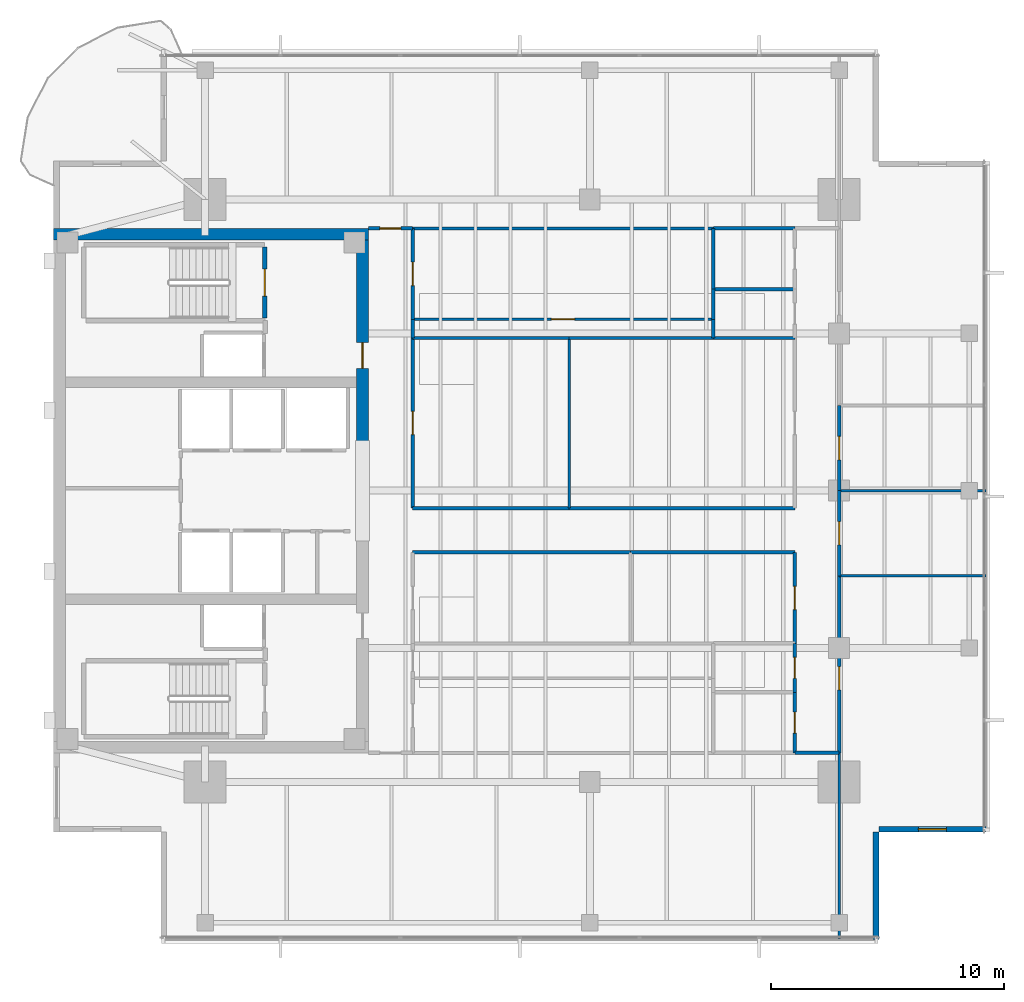
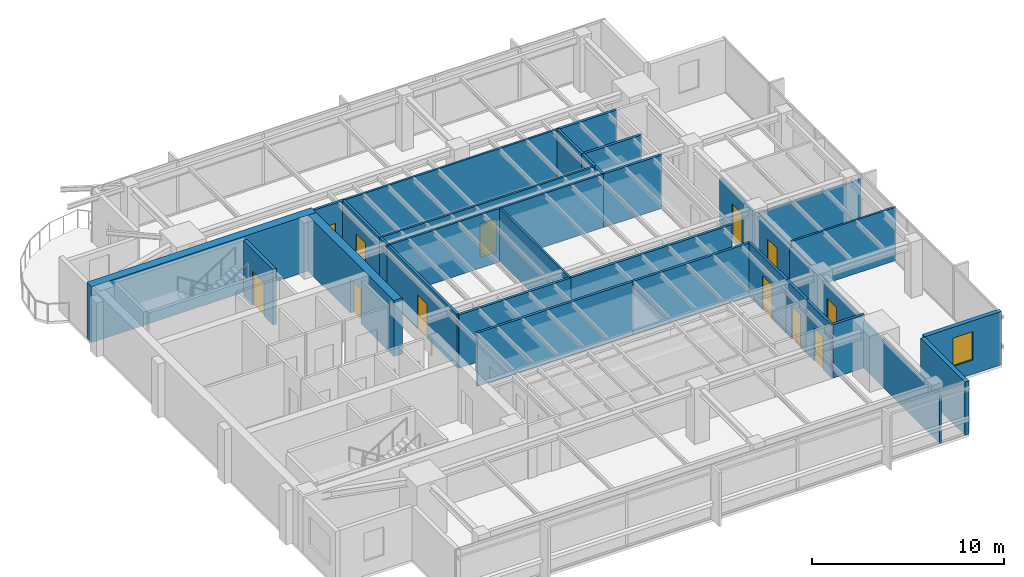
# One storey, part 9 of 14: 34 walls, 12 doors, 1 window, 13 openings.
"""IFC4 building model written with IfcOpenShell, lengths in metres."""

from ifc_helpers import new_model, si_unit, direction, frame, frame_2d, origin, place, context, subcontext, project, spatial, rectangle, extrude, material, layer, layer_set, type_object, element, fill, save


model = new_model("IFC4")

# Units and contexts
model_context = context("Model", 3, precision=1e-05, world=origin(), true_north=direction((0.0, 1.0)))
body_context = subcontext(model_context, "Body", "Model", "MODEL_VIEW")
ifc_project = project(units=[si_unit("LENGTHUNIT", "METRE"), si_unit("AREAUNIT", "SQUARE_METRE"), si_unit("VOLUMEUNIT", "CUBIC_METRE"), si_unit("PLANEANGLEUNIT", "RADIAN"), si_unit("MASSUNIT", "GRAM", prefix="KILO")], contexts=[model_context])

# Site, building, storey
site_placement = place(None, origin())
site = spatial("IfcSite", under=ifc_project, at=site_placement, CompositionType="ELEMENT")
building_placement = place(site_placement, origin())
building = spatial("IfcBuilding", under=site, at=building_placement, Name="Kinhvarn Gate Tower", CompositionType="ELEMENT")
storey_placement = place(building_placement, frame((0.0, 0.0, 249.25)))
storey = spatial("IfcBuildingStorey", under=building, at=storey_placement, Name="L66", CompositionType="ELEMENT", Elevation=249.25)

# Wall
ifc_material_1 = material(Name="Concrete C50/60", Category="concrete")
ifc_layer_1 = layer(ifc_material_1, 0.5)
ifc_layer_set_1 = layer_set([ifc_layer_1], Name="Concrete C50/60")
wall_type_1 = type_object("IfcWallType", Name="WL-CORE-500", PredefinedType="SHEAR", material=ifc_layer_set_1)
wall_1_placement = place(storey_placement, frame((4.5, 36.25, 0.0), z_axis=(0.0, 0.0, 1.0), x_axis=(1.0, 0.0, 0.0)))
element("IfcWall", 1, at=wall_1_placement, inside=storey, type_object=wall_type_1, Name="Core North Shear Wall L66 500 mm", PredefinedType="SHEAR", context=body_context, shape_type="SweptSolid", body=[
    extrude(rectangle(XDim=13.5, YDim=0.5, at=frame_2d((6.75, 0.0))), origin(), (0.0, 0.0, 1.0), 3.550048828125),
])

# Wall, opening, door
wall_2_placement = place(storey_placement, frame((17.75, 27.050048828125, 0.0), z_axis=(0.0, 0.0, 1.0), x_axis=(0.0, 1.0, 0.0)))
wall_2 = element("IfcWall", 2, at=wall_2_placement, inside=storey, type_object=wall_type_1, Name="Core East-North Shear Pier L66 500 mm", PredefinedType="SHEAR", context=body_context, shape_type="SweptSolid", body=[
    extrude(rectangle(XDim=8.949951171875, YDim=0.5, at=frame_2d((4.47509765625, 0.0))), origin(), (0.0, 0.0, 1.0), 3.550048828125),
])
opening_1_placement = place(wall_2_placement, frame((3.449951171875, 0.0, 0.0)))
opening_1 = element("IfcOpeningElement", 3, at=opening_1_placement, cuts=wall_2, Name="Opening FD-02", PredefinedType="OPENING", context=body_context, shape_type="SweptSolid", body=[
    extrude(rectangle(XDim=1.10009765625, YDim=2.14990234375, at=frame_2d((0.550048828125, 1.074951171875))), frame((0.0, 0.260009765625, 0.0), z_axis=(0.0, -1.0, 0.0), x_axis=(1.0, 0.0, 0.0)), (0.0, 0.0, 1.0), 0.52001953125),
])
ifc_material_2 = material(Name="Anodised aluminium AW-6063", Category="aluminium")
door_type_1 = type_object("IfcDoorType", Name="DR-FD-1100", OperationType="NOTDEFINED", PredefinedType="DOOR", material=ifc_material_2)
door_1_placement = place(opening_1_placement, origin())
door_1 = element("IfcDoor", 4, at=door_1_placement, inside=storey, type_object=door_type_1, Name="Firefighting Lobby Core Door (L66)", OperationType="SINGLE_SWING_LEFT", OverallHeight=2.14990234375, OverallWidth=1.10009765625, PredefinedType="DOOR", context=body_context, shape_type="SweptSolid", body=[
    extrude(rectangle(XDim=1.10009765625, YDim=2.14990234375, at=frame_2d((0.550048828125, 1.074951171875))), frame((0.0, 0.02490234375, 0.0), z_axis=(0.0, -1.0, 0.0), x_axis=(1.0, 0.0, 0.0)), (0.0, 0.0, 1.0), 0.050048828125),
])
fill(opening_1, door_1)

# Wall
ifc_material_3 = material(Name="Fired architectural terracotta", Category="masonry")
ifc_layer_2 = layer(ifc_material_3, 0.25)
ifc_layer_set_2 = layer_set([ifc_layer_2], Name="Fired architectural terracotta")
wall_type_2 = type_object("IfcWallType", Name="WL-EXT-250", PredefinedType="SOLIDWALL", material=ifc_layer_set_2)
wall_3_placement = place(storey_placement, frame((39.77490234375, 6.0, 0.0), z_axis=(0.0, 0.0, 1.0), x_axis=(0.0, 1.0, 0.0)))
element("IfcWall", 5, at=wall_3_placement, inside=storey, type_object=wall_type_2, Name="Exterior Solidwall Wall EW-250 (L66 SE-Notch-1)", PredefinedType="SOLIDWALL", context=body_context, shape_type="SweptSolid", body=[
    extrude(rectangle(XDim=4.60009765625, YDim=0.25, at=frame_2d((2.300048828125, 0.0))), origin(), (0.0, 0.0, 1.0), 3.389892578125),
])

# Wall, opening, window
wall_4_placement = place(storey_placement, frame((39.89990234375, 10.72509765625, 0.0), z_axis=(0.0, 0.0, 1.0), x_axis=(1.0, 0.0, 0.0)))
wall_4 = element("IfcWall", 6, at=wall_4_placement, inside=storey, type_object=wall_type_2, Name="Exterior Solidwall Wall EW-250 (L66 SE-Notch-2)", PredefinedType="SOLIDWALL", context=body_context, shape_type="SweptSolid", body=[
    extrude(rectangle(XDim=4.60009765625, YDim=0.25, at=frame_2d((2.300048828125, 0.0))), origin(), (0.0, 0.0, 1.0), 3.389892578125),
])
opening_2_placement = place(wall_4_placement, frame((1.699951171875, 0.0, 0.89990234375)))
opening_2 = element("IfcOpeningElement", 7, at=opening_2_placement, cuts=wall_4, Name="Opening WN-02", PredefinedType="OPENING", context=body_context, shape_type="SweptSolid", body=[
    extrude(rectangle(XDim=1.199951171875, YDim=1.800048828125, at=frame_2d((0.60009765625, 0.89990234375))), frame((0.0, 0.135009765625, 0.0), z_axis=(0.0, -1.0, 0.0), x_axis=(1.0, 0.0, 0.0)), (0.0, 0.0, 1.0), 0.27001953125),
])
ifc_material_4 = material(Name="Clear low-e double glazing", Category="glass")
window_type = type_object("IfcWindowType", Name="WIN-NTC-1200", PartitioningType="SINGLE_PANEL", PredefinedType="WINDOW", material=ifc_material_4)
window_placement = place(opening_2_placement, origin())
window = element("IfcWindow", 8, at=window_placement, inside=storey, type_object=window_type, Name="Recessed Corner Notch Punched Window 1200x1800 mm (L66)", OverallHeight=1.800048828125, OverallWidth=1.199951171875, PartitioningType="SINGLE_PANEL", PredefinedType="WINDOW", context=body_context, shape_type="SweptSolid", body=[
    extrude(rectangle(XDim=1.199951171875, YDim=1.800048828125, at=frame_2d((0.60009765625, 0.89990234375))), frame((0.0, 0.030029296875, 0.0), z_axis=(0.0, -1.0, 0.0), x_axis=(1.0, 0.0, 0.0)), (0.0, 0.0, 1.0), 0.06005859375),
])
fill(opening_2, window)

# Walls
ifc_material_5 = material(Name="Gypsum acoustic partition board")
ifc_layer_3 = layer(ifc_material_5, 0.14990234375)
ifc_layer_set_3 = layer_set([ifc_layer_3], Name="Gypsum acoustic partition board")
wall_type_3 = type_object("IfcWallType", Name="WL-PLM-150", PredefinedType="PLUMBINGWALL", material=ifc_layer_set_3)
wall_5_placement = place(storey_placement, frame((32.800048828125, 33.89990234375, 0.0), z_axis=(0.0, 0.0, 1.0), x_axis=(1.0, 0.0, 0.0)))
element("IfcWall", 9, at=wall_5_placement, inside=storey, type_object=wall_type_3, Name="Interior Partition PLW-150 (L66)", PredefinedType="PLUMBINGWALL", context=body_context, shape_type="SweptSolid", body=[
    extrude(rectangle(XDim=3.5, YDim=0.14990234375, at=frame_2d((1.75, 0.0))), origin(), (0.0, 0.0, 1.0), 3.389892578125),
])
wall_6_placement = place(storey_placement, frame((32.800048828125, 33.89990234375, 0.0), z_axis=(0.0, 0.0, 1.0), x_axis=(0.0, 1.0, 0.0)))
element("IfcWall", 10, at=wall_6_placement, inside=storey, type_object=wall_type_3, Name="Interior Partition PLW-150 (L66)", PredefinedType="PLUMBINGWALL", context=body_context, shape_type="SweptSolid", body=[
    extrude(rectangle(XDim=2.60009765625, YDim=0.14990234375, at=frame_2d((1.300048828125, 0.0))), origin(), (0.0, 0.0, 1.0), 3.389892578125),
])
wall_7_placement = place(storey_placement, frame((32.800048828125, 36.5, 0.0), z_axis=(0.0, 0.0, 1.0), x_axis=(1.0, 0.0, 0.0)))
element("IfcWall", 11, at=wall_7_placement, inside=storey, type_object=wall_type_3, Name="Interior Partition PLW-150 (L66)", PredefinedType="PLUMBINGWALL", context=body_context, shape_type="SweptSolid", body=[
    extrude(rectangle(XDim=3.5, YDim=0.14990234375, at=frame_2d((1.75, 0.0))), origin(), (0.0, 0.0, 1.0), 3.389892578125),
])
wall_8_placement = place(storey_placement, frame((32.800048828125, 32.60009765625, 0.0), z_axis=(0.0, 0.0, 1.0), x_axis=(0.0, 1.0, 0.0)))
element("IfcWall", 12, at=wall_8_placement, inside=storey, type_object=wall_type_3, Name="Interior Partition PLW-150 (L66)", PredefinedType="PLUMBINGWALL", context=body_context, shape_type="SweptSolid", body=[
    extrude(rectangle(XDim=1.2998046875, YDim=0.14990234375, at=frame_2d((0.64990234375, 0.0))), origin(), (0.0, 0.0, 1.0), 3.389892578125),
])
wall_9_placement = place(storey_placement, frame((32.800048828125, 31.800048828125, 0.0), z_axis=(0.0, 0.0, 1.0), x_axis=(0.0, 1.0, 0.0)))
element("IfcWall", 13, at=wall_9_placement, inside=storey, type_object=wall_type_3, Name="Interior Partition PLW-150 (L66)", PredefinedType="PLUMBINGWALL", context=body_context, shape_type="SweptSolid", body=[
    extrude(rectangle(XDim=0.800048828125, YDim=0.14990234375, at=frame_2d((0.39990234375, 0.0))), origin(), (0.0, 0.0, 1.0), 3.389892578125),
])
wall_10_placement = place(storey_placement, frame((32.800048828125, 31.800048828125, 0.0), z_axis=(0.0, 0.0, 1.0), x_axis=(1.0, 0.0, 0.0)))
element("IfcWall", 14, at=wall_10_placement, inside=storey, type_object=wall_type_3, Name="Interior Partition PLW-150 (L66)", PredefinedType="PLUMBINGWALL", context=body_context, shape_type="SweptSolid", body=[
    extrude(rectangle(XDim=3.5, YDim=0.14990234375, at=frame_2d((1.75, 0.0))), origin(), (0.0, 0.0, 1.0), 3.389892578125),
])

# Wall, opening, door
ifc_layer_4 = layer(ifc_material_5, 0.14990234375)
ifc_layer_set_4 = layer_set([ifc_layer_4], Name="Gypsum acoustic partition board")
wall_type_4 = type_object("IfcWallType", Name="WL-PLM-150F", PredefinedType="PLUMBINGWALL", material=ifc_layer_set_4)
wall_11_placement = place(storey_placement, frame((36.300048828125, 14.0, 0.0), z_axis=(0.0, 0.0, 1.0), x_axis=(0.0, 1.0, 0.0)))
wall_11 = element("IfcWall", 15, at=wall_11_placement, inside=storey, type_object=wall_type_4, Name="Interior Partition PLW-150F (L66)", PredefinedType="PLUMBINGWALL", context=body_context, shape_type="SweptSolid", body=[
    extrude(rectangle(XDim=2.60009765625, YDim=0.14990234375, at=frame_2d((1.300048828125, 0.0))), origin(), (0.0, 0.0, 1.0), 3.389892578125),
])
opening_3_placement = place(wall_11_placement, frame((0.85009765625, 0.0, 0.0)))
opening_3 = element("IfcOpeningElement", 16, at=opening_3_placement, cuts=wall_11, Name="Opening FD-04", PredefinedType="OPENING", context=body_context, shape_type="SweptSolid", body=[
    extrude(rectangle(XDim=0.89990234375, YDim=2.10009765625, at=frame_2d((0.449951171875, 1.050048828125))), frame((0.0, 0.0849609375, 0.0), z_axis=(0.0, -1.0, 0.0), x_axis=(1.0, 0.0, 0.0)), (0.0, 0.0, 1.0), 0.169921875),
])
door_type_2 = type_object("IfcDoorType", Name="DR-FD-900", OperationType="NOTDEFINED", PredefinedType="DOOR", material=ifc_material_2)
door_2_placement = place(opening_3_placement, origin())
door_2 = element("IfcDoor", 17, at=door_2_placement, inside=storey, type_object=door_type_2, Name="Rated Riser & Service Closet Fire Door 900x2100 mm (L66)", OperationType="SINGLE_SWING_LEFT", OverallHeight=2.10009765625, OverallWidth=0.89990234375, PredefinedType="DOOR", context=body_context, shape_type="SweptSolid", body=[
    extrude(rectangle(XDim=0.89990234375, YDim=2.10009765625, at=frame_2d((0.449951171875, 1.050048828125))), frame((0.0, 0.02490234375, 0.0), z_axis=(0.0, -1.0, 0.0), x_axis=(1.0, 0.0, 0.0)), (0.0, 0.0, 1.0), 0.050048828125),
])
fill(opening_3, door_2)

wall_12_placement = place(storey_placement, frame((36.300048828125, 16.60009765625, 0.0), z_axis=(0.0, 0.0, 1.0), x_axis=(0.0, 1.0, 0.0)))
wall_12 = element("IfcWall", 18, at=wall_12_placement, inside=storey, type_object=wall_type_4, Name="Interior Partition PLW-150F (L66)", PredefinedType="PLUMBINGWALL", context=body_context, shape_type="SweptSolid", body=[
    extrude(rectangle(XDim=2.099853515625, YDim=0.14990234375, at=frame_2d((1.0498046875, 0.0))), origin(), (0.0, 0.0, 1.0), 3.389892578125),
])
opening_4_placement = place(wall_12_placement, frame((0.60009765625, 0.0, 0.0)))
opening_4 = element("IfcOpeningElement", 19, at=opening_4_placement, cuts=wall_12, Name="Opening FD-04", PredefinedType="OPENING", context=body_context, shape_type="SweptSolid", body=[
    extrude(rectangle(XDim=0.89990234375, YDim=2.10009765625, at=frame_2d((0.449951171875, 1.050048828125))), frame((0.0, 0.0849609375, 0.0), z_axis=(0.0, -1.0, 0.0), x_axis=(1.0, 0.0, 0.0)), (0.0, 0.0, 1.0), 0.169921875),
])
door_3_placement = place(opening_4_placement, origin())
door_3 = element("IfcDoor", 20, at=door_3_placement, inside=storey, type_object=door_type_2, Name="Rated Riser & Service Closet Fire Door 900x2100 mm (L66)", OperationType="SINGLE_SWING_LEFT", OverallHeight=2.10009765625, OverallWidth=0.89990234375, PredefinedType="DOOR", context=body_context, shape_type="SweptSolid", body=[
    extrude(rectangle(XDim=0.89990234375, YDim=2.10009765625, at=frame_2d((0.449951171875, 1.050048828125))), frame((0.0, 0.02490234375, 0.0), z_axis=(0.0, -1.0, 0.0), x_axis=(1.0, 0.0, 0.0)), (0.0, 0.0, 1.0), 0.050048828125),
])
fill(opening_4, door_3)

ifc_layer_5 = layer(ifc_material_5, 0.1201171875)
ifc_layer_set_5 = layer_set([ifc_layer_5], Name="Gypsum acoustic partition board")
wall_type_5 = type_object("IfcWallType", Name="WL-PRT-120", PredefinedType="PARTITIONING", material=ifc_layer_set_5)
wall_13_placement = place(storey_placement, frame((19.89990234375, 32.60009765625, 0.0), z_axis=(0.0, 0.0, 1.0), x_axis=(1.0, 0.0, 0.0)))
wall_13 = element("IfcWall", 21, at=wall_13_placement, inside=storey, type_object=wall_type_5, Name="Interior Partition PW-120 (L66)", PredefinedType="PARTITIONING", context=body_context, shape_type="SweptSolid", body=[
    extrude(rectangle(XDim=12.900146484375, YDim=0.1201171875, at=frame_2d((6.4501953125, 0.0))), origin(), (0.0, 0.0, 1.0), 3.389892578125),
])
opening_5_placement = place(wall_13_placement, frame((5.949951171875, 0.0, 0.0)))
opening_5 = element("IfcOpeningElement", 22, at=opening_5_placement, cuts=wall_13, Name="Opening ID-02", PredefinedType="OPENING", context=body_context, shape_type="SweptSolid", body=[
    extrude(rectangle(XDim=1.0, YDim=2.14990234375, at=frame_2d((0.5, 1.074951171875))), frame((0.0, 0.070068359375, 0.0), z_axis=(0.0, -1.0, 0.0), x_axis=(1.0, 0.0, 0.0)), (0.0, 0.0, 1.0), 0.14013671875),
])
door_type_3 = type_object("IfcDoorType", Name="DR-INT-1000", OperationType="NOTDEFINED", PredefinedType="DOOR", material=ifc_material_2)
door_4_placement = place(opening_5_placement, origin())
door_4 = element("IfcDoor", 23, at=door_4_placement, inside=storey, type_object=door_type_3, Name="Standard Office & Meeting Room Door 1000x2150 mm (L66)", OperationType="SINGLE_SWING_LEFT", OverallHeight=2.14990234375, OverallWidth=1.0, PredefinedType="DOOR", context=body_context, shape_type="SweptSolid", body=[
    extrude(rectangle(XDim=1.0, YDim=2.14990234375, at=frame_2d((0.5, 1.074951171875))), frame((0.0, 0.02490234375, 0.0), z_axis=(0.0, -1.0, 0.0), x_axis=(1.0, 0.0, 0.0)), (0.0, 0.0, 1.0), 0.050048828125),
])
fill(opening_5, door_4)

# Walls
wall_14_placement = place(storey_placement, frame((19.89990234375, 36.5, 0.0), z_axis=(0.0, 0.0, 1.0), x_axis=(1.0, 0.0, 0.0)))
element("IfcWall", 24, at=wall_14_placement, inside=storey, type_object=wall_type_5, Name="Interior Partition PW-120 (L66)", PredefinedType="PARTITIONING", context=body_context, shape_type="SweptSolid", body=[
    extrude(rectangle(XDim=12.900146484375, YDim=0.1201171875, at=frame_2d((6.4501953125, 0.0))), origin(), (0.0, 0.0, 1.0), 3.389892578125),
])
wall_15_placement = place(storey_placement, frame((19.89990234375, 31.800048828125, 0.0), z_axis=(0.0, 0.0, 1.0), x_axis=(1.0, 0.0, 0.0)))
element("IfcWall", 25, at=wall_15_placement, inside=storey, type_object=wall_type_5, Name="Interior Partition PW-120 (L66)", PredefinedType="PARTITIONING", context=body_context, shape_type="SweptSolid", body=[
    extrude(rectangle(XDim=6.72021484375, YDim=0.1201171875, at=frame_2d((3.360107421875, 0.0))), origin(), (0.0, 0.0, 1.0), 3.389892578125),
])
wall_16_placement = place(storey_placement, frame((26.6201171875, 31.800048828125, 0.0), z_axis=(0.0, 0.0, 1.0), x_axis=(1.0, 0.0, 0.0)))
element("IfcWall", 26, at=wall_16_placement, inside=storey, type_object=wall_type_5, Name="Interior Partition PW-120 (L66)", PredefinedType="PARTITIONING", context=body_context, shape_type="SweptSolid", body=[
    extrude(rectangle(XDim=6.179931640625, YDim=0.1201171875, at=frame_2d((3.08984375, 0.0))), origin(), (0.0, 0.0, 1.0), 3.389892578125),
])
wall_17_placement = place(storey_placement, frame((26.6201171875, 24.5, 0.0), z_axis=(0.0, 0.0, 1.0), x_axis=(0.0, 1.0, 0.0)))
element("IfcWall", 27, at=wall_17_placement, inside=storey, type_object=wall_type_5, Name="Interior Partition PW-120 (L66)", PredefinedType="PARTITIONING", context=body_context, shape_type="SweptSolid", body=[
    extrude(rectangle(XDim=7.300048828125, YDim=0.1201171875, at=frame_2d((3.64990234375, 0.0))), origin(), (0.0, 0.0, 1.0), 3.389892578125),
])
wall_18_placement = place(storey_placement, frame((38.199951171875, 6.010009765625, 0.0), z_axis=(0.0, 0.0, 1.0), x_axis=(0.0, 1.0, 0.0)))
element("IfcWall", 28, at=wall_18_placement, inside=storey, type_object=wall_type_5, Name="Interior Partition PW-120 (L66)", PredefinedType="PARTITIONING", context=body_context, shape_type="SweptSolid", body=[
    extrude(rectangle(XDim=7.989990234375, YDim=0.1201171875, at=frame_2d((3.9951171875, 0.0))), origin(), (0.0, 0.0, 1.0), 2.989990234375),
])
wall_19_placement = place(storey_placement, frame((38.199951171875, 21.60009765625, 0.0), z_axis=(0.0, 0.0, 1.0), x_axis=(1.0, 0.0, 0.0)))
element("IfcWall", 29, at=wall_19_placement, inside=storey, type_object=wall_type_5, Name="Interior Partition PW-120 (L66)", PredefinedType="PARTITIONING", context=body_context, shape_type="SweptSolid", body=[
    extrude(rectangle(XDim=6.2900390625, YDim=0.1201171875, at=frame_2d((3.14501953125, 0.0))), origin(), (0.0, 0.0, 1.0), 3.389892578125),
])
wall_20_placement = place(storey_placement, frame((38.199951171875, 25.25, 0.0), z_axis=(0.0, 0.0, 1.0), x_axis=(1.0, 0.0, 0.0)))
element("IfcWall", 30, at=wall_20_placement, inside=storey, type_object=wall_type_5, Name="Interior Partition PW-120 (L66)", PredefinedType="PARTITIONING", context=body_context, shape_type="SweptSolid", body=[
    extrude(rectangle(XDim=6.2900390625, YDim=0.1201171875, at=frame_2d((3.14501953125, 0.0))), origin(), (0.0, 0.0, 1.0), 2.93994140625),
])

# Wall, opening, door
ifc_layer_6 = layer(ifc_material_5, 0.14990234375)
ifc_layer_set_6 = layer_set([ifc_layer_6], Name="Gypsum acoustic partition board")
wall_type_6 = type_object("IfcWallType", Name="WL-PRT-150F", PredefinedType="PARTITIONING", material=ifc_layer_set_6)
wall_21_placement = place(storey_placement, frame((19.89990234375, 32.60009765625, 0.0), z_axis=(0.0, 0.0, 1.0), x_axis=(0.0, 1.0, 0.0)))
wall_21 = element("IfcWall", 31, at=wall_21_placement, inside=storey, type_object=wall_type_6, Name="Interior Partition PW-150F (L66)", PredefinedType="PARTITIONING", context=body_context, shape_type="SweptSolid", body=[
    extrude(rectangle(XDim=3.89990234375, YDim=0.14990234375, at=frame_2d((1.949951171875, 0.0))), origin(), (0.0, 0.0, 1.0), 3.389892578125),
])
opening_6_placement = place(wall_21_placement, frame((1.449951171875, 0.0, 0.0)))
opening_6 = element("IfcOpeningElement", 32, at=opening_6_placement, cuts=wall_21, Name="Opening ID-02", PredefinedType="OPENING", context=body_context, shape_type="SweptSolid", body=[
    extrude(rectangle(XDim=1.0, YDim=2.14990234375, at=frame_2d((0.5, 1.074951171875))), frame((0.0, 0.0849609375, 0.0), z_axis=(0.0, -1.0, 0.0), x_axis=(1.0, 0.0, 0.0)), (0.0, 0.0, 1.0), 0.169921875),
])
door_5_placement = place(opening_6_placement, origin())
door_5 = element("IfcDoor", 33, at=door_5_placement, inside=storey, type_object=door_type_3, Name="Standard Office & Meeting Room Door 1000x2150 mm (L66)", OperationType="SINGLE_SWING_RIGHT", OverallHeight=2.14990234375, OverallWidth=1.0, PredefinedType="DOOR", context=body_context, shape_type="SweptSolid", body=[
    extrude(rectangle(XDim=1.0, YDim=2.14990234375, at=frame_2d((0.5, 1.074951171875))), frame((0.0, 0.02490234375, 0.0), z_axis=(0.0, -1.0, 0.0), x_axis=(1.0, 0.0, 0.0)), (0.0, 0.0, 1.0), 0.050048828125),
])
fill(opening_6, door_5)

# Wall
wall_22_placement = place(storey_placement, frame((19.89990234375, 31.800048828125, 0.0), z_axis=(0.0, 0.0, 1.0), x_axis=(0.0, 1.0, 0.0)))
element("IfcWall", 34, at=wall_22_placement, inside=storey, type_object=wall_type_6, Name="Interior Partition PW-150F (L66)", PredefinedType="PARTITIONING", context=body_context, shape_type="SweptSolid", body=[
    extrude(rectangle(XDim=0.800048828125, YDim=0.14990234375, at=frame_2d((0.39990234375, 0.0))), origin(), (0.0, 0.0, 1.0), 3.389892578125),
])

# Wall, opening, door
wall_23_placement = place(storey_placement, frame((19.89990234375, 24.5, 0.0), z_axis=(0.0, 0.0, 1.0), x_axis=(0.0, 1.0, 0.0)))
wall_23 = element("IfcWall", 35, at=wall_23_placement, inside=storey, type_object=wall_type_6, Name="Interior Partition PW-150F (L66)", PredefinedType="PARTITIONING", context=body_context, shape_type="SweptSolid", body=[
    extrude(rectangle(XDim=7.300048828125, YDim=0.14990234375, at=frame_2d((3.64990234375, 0.0))), origin(), (0.0, 0.0, 1.0), 3.389892578125),
])
opening_7_placement = place(wall_23_placement, frame((3.14990234375, 0.0, 0.0)))
opening_7 = element("IfcOpeningElement", 36, at=opening_7_placement, cuts=wall_23, Name="Opening ID-02", PredefinedType="OPENING", context=body_context, shape_type="SweptSolid", body=[
    extrude(rectangle(XDim=1.0, YDim=2.14990234375, at=frame_2d((0.5, 1.074951171875))), frame((0.0, 0.0849609375, 0.0), z_axis=(0.0, -1.0, 0.0), x_axis=(1.0, 0.0, 0.0)), (0.0, 0.0, 1.0), 0.169921875),
])
door_6_placement = place(opening_7_placement, origin())
door_6 = element("IfcDoor", 37, at=door_6_placement, inside=storey, type_object=door_type_3, Name="Standard Office & Meeting Room Door 1000x2150 mm (L66)", OperationType="SINGLE_SWING_RIGHT", OverallHeight=2.14990234375, OverallWidth=1.0, PredefinedType="DOOR", context=body_context, shape_type="SweptSolid", body=[
    extrude(rectangle(XDim=1.0, YDim=2.14990234375, at=frame_2d((0.5, 1.074951171875))), frame((0.0, 0.02490234375, 0.0), z_axis=(0.0, -1.0, 0.0), x_axis=(1.0, 0.0, 0.0)), (0.0, 0.0, 1.0), 0.050048828125),
])
fill(opening_7, door_6)

wall_24_placement = place(storey_placement, frame((18.0, 36.5, 0.0), z_axis=(0.0, 0.0, 1.0), x_axis=(1.0, 0.0, 0.0)))
wall_24 = element("IfcWall", 38, at=wall_24_placement, inside=storey, type_object=wall_type_6, Name="Interior Partition PW-150F (L66)", PredefinedType="PARTITIONING", context=body_context, shape_type="SweptSolid", body=[
    extrude(rectangle(XDim=1.89990234375, YDim=0.14990234375, at=frame_2d((0.949951171875, 0.0))), origin(), (0.0, 0.0, 1.0), 3.389892578125),
])
opening_8_placement = place(wall_24_placement, frame((0.5, 0.0, 0.0)))
opening_8 = element("IfcOpeningElement", 39, at=opening_8_placement, cuts=wall_24, Name="Opening ID-03", PredefinedType="OPENING", context=body_context, shape_type="SweptSolid", body=[
    extrude(rectangle(XDim=0.89990234375, YDim=2.10009765625, at=frame_2d((0.449951171875, 1.050048828125))), frame((0.0, 0.0849609375, 0.0), z_axis=(0.0, -1.0, 0.0), x_axis=(1.0, 0.0, 0.0)), (0.0, 0.0, 1.0), 0.169921875),
])
door_type_4 = type_object("IfcDoorType", Name="DR-INT-900", OperationType="NOTDEFINED", PredefinedType="DOOR", material=ifc_material_2)
door_7_placement = place(opening_8_placement, origin())
door_7 = element("IfcDoor", 40, at=door_7_placement, inside=storey, type_object=door_type_4, Name="Cellular Office & Restroom Door 900x2100 mm (L66)", OperationType="SINGLE_SWING_RIGHT", OverallHeight=2.10009765625, OverallWidth=0.89990234375, PredefinedType="DOOR", context=body_context, shape_type="SweptSolid", body=[
    extrude(rectangle(XDim=0.89990234375, YDim=2.10009765625, at=frame_2d((0.449951171875, 1.050048828125))), frame((0.0, 0.02490234375, 0.0), z_axis=(0.0, -1.0, 0.0), x_axis=(1.0, 0.0, 0.0)), (0.0, 0.0, 1.0), 0.050048828125),
])
fill(opening_8, door_7)

# Walls
wall_25_placement = place(storey_placement, frame((19.89990234375, 22.60009765625, 0.0), z_axis=(0.0, 0.0, 1.0), x_axis=(1.0, 0.0, 0.0)))
element("IfcWall", 41, at=wall_25_placement, inside=storey, type_object=wall_type_6, Name="Interior Partition PW-150F (L66)", PredefinedType="PARTITIONING", context=body_context, shape_type="SweptSolid", body=[
    extrude(rectangle(XDim=9.35009765625, YDim=0.14990234375, at=frame_2d((4.675048828125, 0.0))), origin(), (0.0, 0.0, 1.0), 3.389892578125),
])
wall_26_placement = place(storey_placement, frame((29.25, 22.60009765625, 0.0), z_axis=(0.0, 0.0, 1.0), x_axis=(1.0, 0.0, 0.0)))
element("IfcWall", 42, at=wall_26_placement, inside=storey, type_object=wall_type_6, Name="Interior Partition PW-150F (L66)", PredefinedType="PARTITIONING", context=body_context, shape_type="SweptSolid", body=[
    extrude(rectangle(XDim=7.050048828125, YDim=0.14990234375, at=frame_2d((3.52490234375, 0.0))), origin(), (0.0, 0.0, 1.0), 3.389892578125),
])
wall_27_placement = place(storey_placement, frame((19.89990234375, 24.5, 0.0), z_axis=(0.0, 0.0, 1.0), x_axis=(1.0, 0.0, 0.0)))
element("IfcWall", 43, at=wall_27_placement, inside=storey, type_object=wall_type_6, Name="Interior Partition PW-150F (L66)", PredefinedType="PARTITIONING", context=body_context, shape_type="SweptSolid", body=[
    extrude(rectangle(XDim=6.72021484375, YDim=0.14990234375, at=frame_2d((3.360107421875, 0.0))), origin(), (0.0, 0.0, 1.0), 3.389892578125),
])
wall_28_placement = place(storey_placement, frame((26.6201171875, 24.5, 0.0), z_axis=(0.0, 0.0, 1.0), x_axis=(1.0, 0.0, 0.0)))
element("IfcWall", 44, at=wall_28_placement, inside=storey, type_object=wall_type_6, Name="Interior Partition PW-150F (L66)", PredefinedType="PARTITIONING", context=body_context, shape_type="SweptSolid", body=[
    extrude(rectangle(XDim=9.679931640625, YDim=0.14990234375, at=frame_2d((4.83984375, 0.0))), origin(), (0.0, 0.0, 1.0), 3.389892578125),
])

# Wall, opening, door
wall_29_placement = place(storey_placement, frame((36.300048828125, 18.699951171875, 0.0), z_axis=(0.0, 0.0, 1.0), x_axis=(0.0, 1.0, 0.0)))
wall_29 = element("IfcWall", 45, at=wall_29_placement, inside=storey, type_object=wall_type_6, Name="Interior Partition PW-150F (L66)", PredefinedType="PARTITIONING", context=body_context, shape_type="SweptSolid", body=[
    extrude(rectangle(XDim=3.900146484375, YDim=0.14990234375, at=frame_2d((1.9501953125, 0.0))), origin(), (0.0, 0.0, 1.0), 3.389892578125),
])
opening_9_placement = place(wall_29_placement, frame((1.449951171875, 0.0, 0.0)))
opening_9 = element("IfcOpeningElement", 46, at=opening_9_placement, cuts=wall_29, Name="Opening ID-02", PredefinedType="OPENING", context=body_context, shape_type="SweptSolid", body=[
    extrude(rectangle(XDim=1.0, YDim=2.14990234375, at=frame_2d((0.5, 1.074951171875))), frame((0.0, 0.0849609375, 0.0), z_axis=(0.0, -1.0, 0.0), x_axis=(1.0, 0.0, 0.0)), (0.0, 0.0, 1.0), 0.169921875),
])
door_8_placement = place(opening_9_placement, origin())
door_8 = element("IfcDoor", 47, at=door_8_placement, inside=storey, type_object=door_type_3, Name="Standard Office & Meeting Room Door 1000x2150 mm (L66)", OperationType="SINGLE_SWING_LEFT", OverallHeight=2.14990234375, OverallWidth=1.0, PredefinedType="DOOR", context=body_context, shape_type="SweptSolid", body=[
    extrude(rectangle(XDim=1.0, YDim=2.14990234375, at=frame_2d((0.5, 1.074951171875))), frame((0.0, 0.02490234375, 0.0), z_axis=(0.0, -1.0, 0.0), x_axis=(1.0, 0.0, 0.0)), (0.0, 0.0, 1.0), 0.050048828125),
])
fill(opening_9, door_8)

# Wall
wall_30_placement = place(storey_placement, frame((36.300048828125, 14.0, 0.0), z_axis=(0.0, 0.0, 1.0), x_axis=(1.0, 0.0, 0.0)))
element("IfcWall", 48, at=wall_30_placement, inside=storey, type_object=wall_type_6, Name="Interior Partition PW-150F (L66)", PredefinedType="PARTITIONING", context=body_context, shape_type="SweptSolid", body=[
    extrude(rectangle(XDim=1.89990234375, YDim=0.14990234375, at=frame_2d((0.949951171875, 0.0))), origin(), (0.0, 0.0, 1.0), 3.389892578125),
])

# Wall, opening, door
wall_31_placement = place(storey_placement, frame((38.199951171875, 14.0, 0.0), z_axis=(0.0, 0.0, 1.0), x_axis=(0.0, 1.0, 0.0)))
wall_31 = element("IfcWall", 49, at=wall_31_placement, inside=storey, type_object=wall_type_6, Name="Interior Partition PW-150F (L66)", PredefinedType="PARTITIONING", context=body_context, shape_type="SweptSolid", body=[
    extrude(rectangle(XDim=7.60009765625, YDim=0.14990234375, at=frame_2d((3.800048828125, 0.0))), origin(), (0.0, 0.0, 1.0), 2.989990234375),
])
opening_10_placement = place(wall_31_placement, frame((2.7060546875, 0.0, 0.0)))
opening_10 = element("IfcOpeningElement", 50, at=opening_10_placement, cuts=wall_31, Name="Opening ID-02", PredefinedType="OPENING", context=body_context, shape_type="SweptSolid", body=[
    extrude(rectangle(XDim=1.0, YDim=2.14990234375, at=frame_2d((0.5, 1.074951171875))), frame((0.0, 0.0849609375, 0.0), z_axis=(0.0, -1.0, 0.0), x_axis=(1.0, 0.0, 0.0)), (0.0, 0.0, 1.0), 0.169921875),
])
door_9_placement = place(opening_10_placement, origin())
door_9 = element("IfcDoor", 51, at=door_9_placement, inside=storey, type_object=door_type_3, Name="Standard Office & Meeting Room Door 1000x2150 mm (L66)", OperationType="SINGLE_SWING_LEFT", OverallHeight=2.14990234375, OverallWidth=1.0, PredefinedType="DOOR", context=body_context, shape_type="SweptSolid", body=[
    extrude(rectangle(XDim=1.0, YDim=2.14990234375, at=frame_2d((0.5, 1.074951171875))), frame((0.0, 0.02490234375, 0.0), z_axis=(0.0, -1.0, 0.0), x_axis=(1.0, 0.0, 0.0)), (0.0, 0.0, 1.0), 0.050048828125),
])
fill(opening_10, door_9)

wall_32_placement = place(storey_placement, frame((38.199951171875, 21.60009765625, 0.0), z_axis=(0.0, 0.0, 1.0), x_axis=(0.0, 1.0, 0.0)))
wall_32 = element("IfcWall", 52, at=wall_32_placement, inside=storey, type_object=wall_type_6, Name="Interior Partition PW-150F (L66)", PredefinedType="PARTITIONING", context=body_context, shape_type="SweptSolid", body=[
    extrude(rectangle(XDim=3.64990234375, YDim=0.14990234375, at=frame_2d((1.824951171875, 0.0))), origin(), (0.0, 0.0, 1.0), 2.989990234375),
])
opening_11_placement = place(wall_32_placement, frame((1.324951171875, 0.0, 0.0)))
opening_11 = element("IfcOpeningElement", 53, at=opening_11_placement, cuts=wall_32, Name="Opening ID-02", PredefinedType="OPENING", context=body_context, shape_type="SweptSolid", body=[
    extrude(rectangle(XDim=1.0, YDim=2.14990234375, at=frame_2d((0.5, 1.074951171875))), frame((0.0, 0.0849609375, 0.0), z_axis=(0.0, -1.0, 0.0), x_axis=(1.0, 0.0, 0.0)), (0.0, 0.0, 1.0), 0.169921875),
])
door_10_placement = place(opening_11_placement, origin())
door_10 = element("IfcDoor", 54, at=door_10_placement, inside=storey, type_object=door_type_3, Name="Standard Office & Meeting Room Door 1000x2150 mm (L66)", OperationType="SINGLE_SWING_RIGHT", OverallHeight=2.14990234375, OverallWidth=1.0, PredefinedType="DOOR", context=body_context, shape_type="SweptSolid", body=[
    extrude(rectangle(XDim=1.0, YDim=2.14990234375, at=frame_2d((0.5, 1.074951171875))), frame((0.0, 0.02490234375, 0.0), z_axis=(0.0, -1.0, 0.0), x_axis=(1.0, 0.0, 0.0)), (0.0, 0.0, 1.0), 0.050048828125),
])
fill(opening_11, door_10)

wall_33_placement = place(storey_placement, frame((38.199951171875, 25.25, 0.0), z_axis=(0.0, 0.0, 1.0), x_axis=(0.0, 1.0, 0.0)))
wall_33 = element("IfcWall", 55, at=wall_33_placement, inside=storey, type_object=wall_type_6, Name="Interior Partition PW-150F (L66)", PredefinedType="PARTITIONING", context=body_context, shape_type="SweptSolid", body=[
    extrude(rectangle(XDim=3.64990234375, YDim=0.14990234375, at=frame_2d((1.824951171875, 0.0))), origin(), (0.0, 0.0, 1.0), 2.989990234375),
])
opening_12_placement = place(wall_33_placement, frame((1.324951171875, 0.0, 0.0)))
opening_12 = element("IfcOpeningElement", 56, at=opening_12_placement, cuts=wall_33, Name="Opening ID-02", PredefinedType="OPENING", context=body_context, shape_type="SweptSolid", body=[
    extrude(rectangle(XDim=1.0, YDim=2.14990234375, at=frame_2d((0.5, 1.074951171875))), frame((0.0, 0.0849609375, 0.0), z_axis=(0.0, -1.0, 0.0), x_axis=(1.0, 0.0, 0.0)), (0.0, 0.0, 1.0), 0.169921875),
])
door_11_placement = place(opening_12_placement, origin())
door_11 = element("IfcDoor", 57, at=door_11_placement, inside=storey, type_object=door_type_3, Name="Standard Office & Meeting Room Door 1000x2150 mm (L66)", OperationType="SINGLE_SWING_LEFT", OverallHeight=2.14990234375, OverallWidth=1.0, PredefinedType="DOOR", context=body_context, shape_type="SweptSolid", body=[
    extrude(rectangle(XDim=1.0, YDim=2.14990234375, at=frame_2d((0.5, 1.074951171875))), frame((0.0, 0.02490234375, 0.0), z_axis=(0.0, -1.0, 0.0), x_axis=(1.0, 0.0, 0.0)), (0.0, 0.0, 1.0), 0.050048828125),
])
fill(opening_12, door_11)

ifc_material_6 = material(Name="Concrete C40/50", Category="concrete")
ifc_layer_7 = layer(ifc_material_6, 0.199951171875)
ifc_layer_set_7 = layer_set([ifc_layer_7], Name="Concrete C40/50")
wall_type_7 = type_object("IfcWallType", Name="WL-SHF-200", PredefinedType="SOLIDWALL", material=ifc_layer_set_7)
wall_34_placement = place(storey_placement, frame((13.56005859375, 32.64990234375, 0.0), z_axis=(0.0, 0.0, 1.0), x_axis=(0.0, 1.0, 0.0)))
wall_34 = element("IfcWall", 58, at=wall_34_placement, inside=storey, type_object=wall_type_7, Name="Stair ST2 East Entry Wall (L66)", PredefinedType="SOLIDWALL", context=body_context, shape_type="SweptSolid", body=[
    extrude(rectangle(XDim=3.050048828125, YDim=0.199951171875, at=frame_2d((1.52490234375, 0.0))), origin(), (0.0, 0.0, 1.0), 3.550048828125),
])
opening_13_placement = place(wall_34_placement, frame((0.949951171875, 0.0, 0.0)))
opening_13 = element("IfcOpeningElement", 59, at=opening_13_placement, cuts=wall_34, Name="Opening FD-01", PredefinedType="OPENING", context=body_context, shape_type="SweptSolid", body=[
    extrude(rectangle(XDim=1.14990234375, YDim=2.14990234375, at=frame_2d((0.574951171875, 1.074951171875))), frame((0.0, 0.10986328125, 0.0), z_axis=(0.0, -1.0, 0.0), x_axis=(1.0, 0.0, 0.0)), (0.0, 0.0, 1.0), 0.219970703125),
])
door_type_5 = type_object("IfcDoorType", Name="DR-ST-1150", OperationType="NOTDEFINED", PredefinedType="DOOR", material=ifc_material_2)
door_12_placement = place(opening_13_placement, origin())
door_12 = element("IfcDoor", 60, at=door_12_placement, inside=storey, type_object=door_type_5, Name="Exit Stair ST2 Fire Door (L66)", OperationType="SINGLE_SWING_LEFT", OverallHeight=2.14990234375, OverallWidth=1.14990234375, PredefinedType="DOOR", context=body_context, shape_type="SweptSolid", body=[
    extrude(rectangle(XDim=1.14990234375, YDim=2.14990234375, at=frame_2d((0.574951171875, 1.074951171875))), frame((0.0, 0.02490234375, 0.0), z_axis=(0.0, -1.0, 0.0), x_axis=(1.0, 0.0, 0.0)), (0.0, 0.0, 1.0), 0.050048828125),
])
fill(opening_13, door_12)

save(model, "model.ifc")
